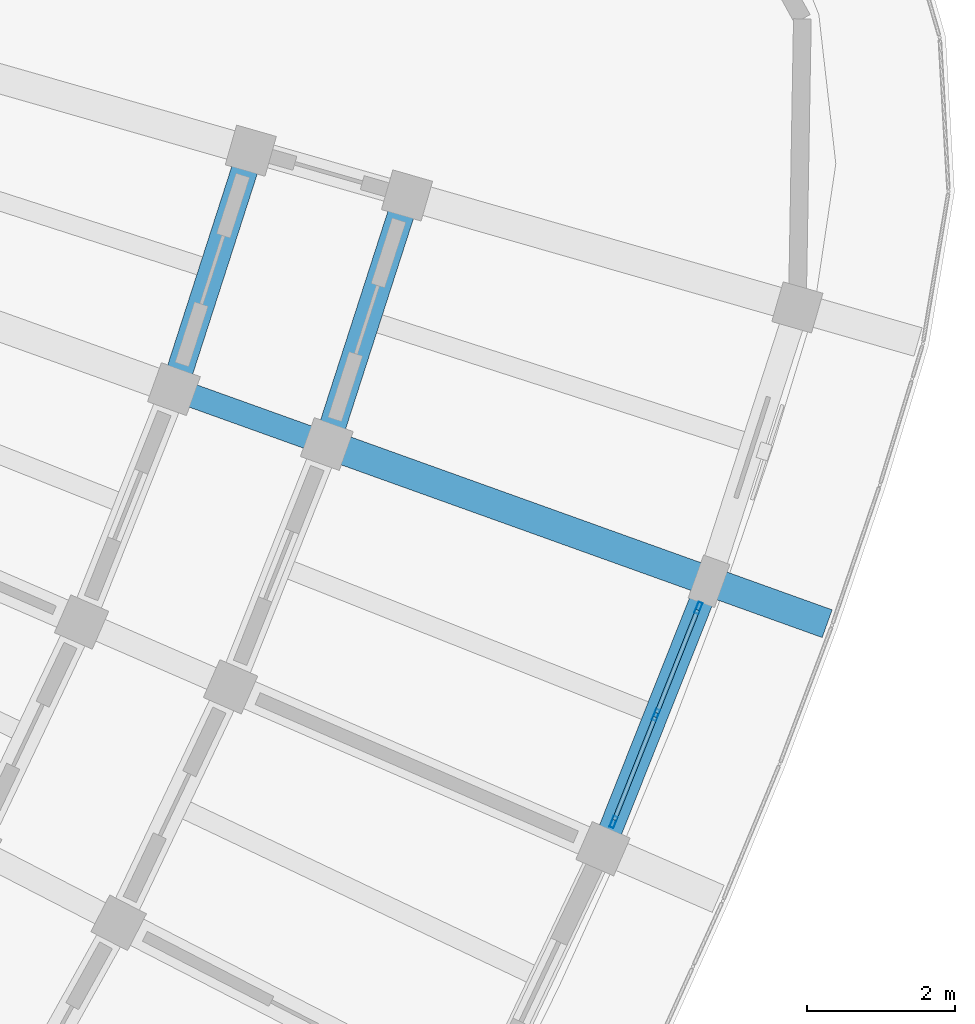
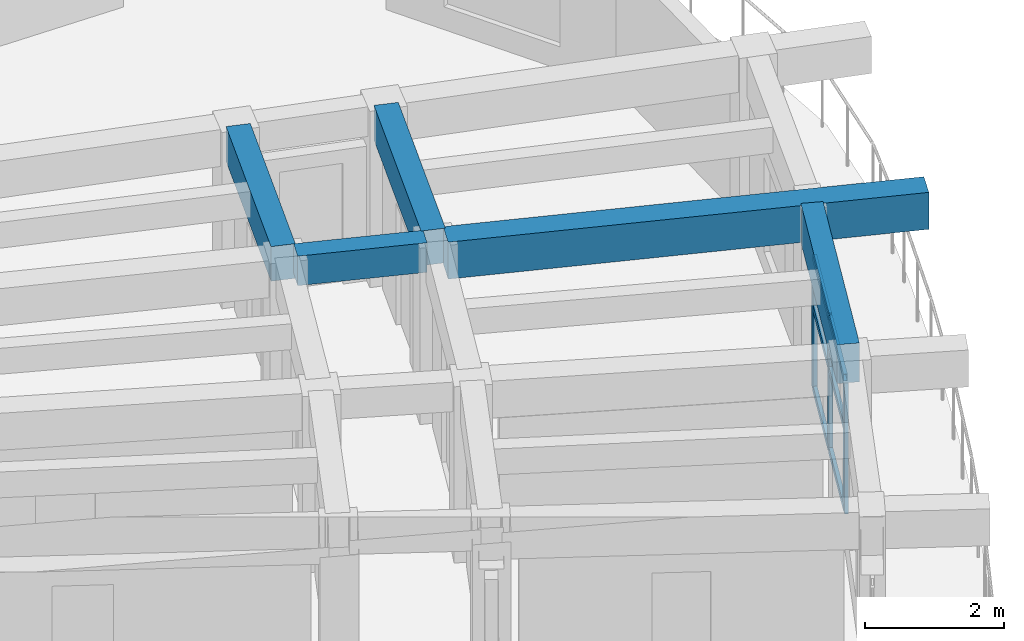
# One storey, part 33 of 96: 9 members, 5 beams, 1 element without a shape of its own.
"""IFC4 building model written with IfcOpenShell, lengths in metres."""

from ifc_helpers import new_model, si_unit, direction, frame, origin, origin_2d, place, context, subcontext, project, spatial, rectangle, hollow_rectangle, extrude, material, material_profile, profile_set, type_object, element, aggregate, save


model = new_model("IFC4")

# Units and contexts
model_context = context("Model", 3, precision=1e-05, world=origin(), true_north=direction((0.0, 1.0)))
body_context = subcontext(model_context, "Body", "Model", "MODEL_VIEW")
ifc_project = project(units=[si_unit("LENGTHUNIT", "METRE"), si_unit("AREAUNIT", "SQUARE_METRE"), si_unit("VOLUMEUNIT", "CUBIC_METRE"), si_unit("PLANEANGLEUNIT", "RADIAN"), si_unit("MASSUNIT", "GRAM", prefix="KILO")], contexts=[model_context])

# Site, building, storey
site_placement = place(None, origin())
site = spatial("IfcSite", under=ifc_project, at=site_placement, CompositionType="ELEMENT")
building_placement = place(site_placement, origin())
building = spatial("IfcBuilding", under=site, at=building_placement, Name="Tanwirah Colonnade Gardens", CompositionType="ELEMENT")
storey_placement = place(building_placement, frame((0.0, 0.0, 12.199951171875)))
storey = spatial("IfcBuildingStorey", under=building, at=storey_placement, Name="L03", CompositionType="ELEMENT", Elevation=12.199951171875)

# Beams
ifc_material_1 = material(Name="Precast concrete C40/50", Category="concrete")
ifc_material_profile_1 = material_profile(ifc_material_1, rectangle(XDim=0.360107421875, YDim=0.610107421875, at=origin_2d()), Name="PC-BM 360x610")
ifc_profile_set_1 = profile_set([ifc_material_profile_1], Name="Precast concrete C40/50")
beam_type_1 = type_object("IfcBeamType", Name="BM-PC300", PredefinedType="BEAM", material=ifc_profile_set_1)
beam_1_placement = place(storey_placement, frame((169.845947265625, 47.121826171875, 2.800048828125), z_axis=(0.306977410573, 0.951716801048, 0.0), x_axis=(-0.951716801048, 0.306977410573, 0.0)))
element("IfcBeam", 1, at=beam_1_placement, inside=storey, type_object=beam_type_1, Name="Block D L03 Circumferential Beam 15-R1", PredefinedType="BEAM", context=body_context, shape_type="SweptSolid", body=[
    extrude(rectangle(XDim=0.360107421875, YDim=0.610107421875, at=origin_2d()), origin(), (0.0, 0.0, 1.0), 3.093017578125),
])
beam_2_placement = place(storey_placement, frame((171.91650390625, 46.37841796875, 2.800048828125), z_axis=(0.306980742305, 0.951715726388, 0.0), x_axis=(-0.951715726388, 0.306980742305, 0.0)))
element("IfcBeam", 2, at=beam_2_placement, inside=storey, type_object=beam_type_1, Name="Block D L03 Circumferential Beam 15-R2", PredefinedType="BEAM", context=body_context, shape_type="SweptSolid", body=[
    extrude(rectangle(XDim=0.360107421875, YDim=0.610107421875, at=origin_2d()), origin(), (0.0, 0.0, 1.0), 3.23681640625),
])
ifc_material_profile_2 = material_profile(ifc_material_1, rectangle(XDim=0.320068359375, YDim=0.52001953125, at=origin_2d()), Name="PC-BM 320x520")
ifc_profile_set_2 = profile_set([ifc_material_profile_2], Name="Precast concrete C40/50")
beam_type_2 = type_object("IfcBeamType", Name="BM-PC320", PredefinedType="BEAM", material=ifc_profile_set_2)
beam_3_placement = place(storey_placement, frame((169.941162109375, 46.92822265625, 2.844970703125), z_axis=(0.941214575511, -0.337809299525, 0.0), x_axis=(0.337809299525, 0.941214575511, 0.0)))
element("IfcBeam", 3, at=beam_3_placement, inside=storey, type_object=beam_type_2, Name="Block D L03 Corridor Tie Beam 15", PredefinedType="BEAM", context=body_context, shape_type="SweptSolid", body=[
    extrude(rectangle(XDim=0.320068359375, YDim=0.52001953125, at=origin_2d()), origin(), (0.0, 0.0, 1.0), 1.89990234375),
])
ifc_material_2 = material(Name="Precast concrete C45/55", Category="concrete")
ifc_material_profile_3 = material_profile(ifc_material_2, rectangle(XDim=0.39990234375, YDim=0.64990234375, at=origin_2d()), Name="PC-BM 400x650")
ifc_profile_set_3 = profile_set([ifc_material_profile_3], Name="Precast concrete C45/55")
beam_type_3 = type_object("IfcBeamType", Name="BM-PC400", PredefinedType="BEAM", material=ifc_profile_set_3)
beam_4_placement = place(storey_placement, frame((172.01171875, 46.184814453125, 2.780029296875), z_axis=(0.941174903614, -0.337919814168, 0.0), x_axis=(0.337919814168, 0.941174903614, 0.0)))
element("IfcBeam", 4, at=beam_4_placement, inside=storey, type_object=beam_type_3, Name="Block D L03 Outer Radial Precast Girder 15", PredefinedType="BEAM", context=body_context, shape_type="SweptSolid", body=[
    extrude(rectangle(XDim=0.39990234375, YDim=0.64990234375, at=origin_2d()), origin(), (0.0, 0.0, 1.0), 7.050048828125),
])

# Curtain wall, members
ifc_material_3 = material(Name="Bronze-anodised aluminium and solar-control low-E glass", Category="aluminium")
curtain_wall_type = type_object("IfcCurtainWallType", Name="CW-LOB", PredefinedType="NOTDEFINED", material=ifc_material_3)
curtain_wall_placement = place(storey_placement, origin())
curtain_wall = element("IfcCurtainWall", 5, at=curtain_wall_placement, inside=storey, type_object=curtain_wall_type, Name="Curtain Wall CW-D-L03-OUT-14", PredefinedType="NOTDEFINED")
ifc_material_4 = material(Name="Bronze-anodised aluminium", Category="aluminium")
ifc_material_profile_4 = material_profile(ifc_material_4, hollow_rectangle(XDim=0.06005859375, YDim=0.159912109375, WallThickness=0.00390625, at=origin_2d()), Name="CW-MUL 60x160x4")
ifc_profile_set_4 = profile_set([ifc_material_profile_4], Name="Bronze-anodised aluminium")
member_type_1 = type_object("IfcMemberType", Name="CWM-60x160", PredefinedType="MULLION", material=ifc_profile_set_4)
member_1_placement = place(storey_placement, frame((175.754638671875, 41.116943359375, 0.0), z_axis=(0.0, 0.0, 1.0), x_axis=(-0.929616338627, 0.368528781723, 0.0)))
member_1 = element("IfcMember", 6, at=member_1_placement, type_object=member_type_1, Name="CW-LOB mullion 1", PredefinedType="MULLION", context=body_context, shape_type="SweptSolid", body=[
    extrude(hollow_rectangle(XDim=0.06005859375, YDim=0.159912109375, WallThickness=0.00390625, at=origin_2d()), origin(), (0.0, 0.0, 1.0), 2.35498046875),
])
member_2_placement = place(storey_placement, frame((176.3291015625, 42.565673828125, 0.0), z_axis=(0.0, 0.0, 1.0), x_axis=(-0.929616338627, 0.368528781723, 0.0)))
member_2 = element("IfcMember", 7, at=member_2_placement, type_object=member_type_1, Name="CW-LOB mullion 2", PredefinedType="MULLION", context=body_context, shape_type="SweptSolid", body=[
    extrude(hollow_rectangle(XDim=0.06005859375, YDim=0.159912109375, WallThickness=0.00390625, at=origin_2d()), origin(), (0.0, 0.0, 1.0), 2.35498046875),
])
member_3_placement = place(storey_placement, frame((176.9033203125, 44.014404296875, 0.0), z_axis=(0.0, 0.0, 1.0), x_axis=(-0.929616338627, 0.368528781723, 0.0)))
member_3 = element("IfcMember", 8, at=member_3_placement, type_object=member_type_1, Name="CW-LOB mullion 3", PredefinedType="MULLION", context=body_context, shape_type="SweptSolid", body=[
    extrude(hollow_rectangle(XDim=0.06005859375, YDim=0.159912109375, WallThickness=0.00390625, at=origin_2d()), origin(), (0.0, 0.0, 1.0), 2.35498046875),
])
ifc_material_profile_5 = material_profile(ifc_material_4, hollow_rectangle(XDim=0.06005859375, YDim=0.1201171875, WallThickness=0.00390625, at=origin_2d()), Name="CW-TRN 60x120x4")
ifc_profile_set_5 = profile_set([ifc_material_profile_5], Name="Bronze-anodised aluminium")
member_type_2 = type_object("IfcMemberType", Name="CWT-60x120", PredefinedType="USERDEFINED", material=ifc_profile_set_5)
member_4_placement = place(storey_placement, frame((175.765625, 41.14501953125, 0.030029296875), z_axis=(0.368579594882, 0.929596193106, 0.0), x_axis=(-0.929596193106, 0.368579594882, 0.0)))
member_4 = element("IfcMember", 9, at=member_4_placement, type_object=member_type_2, Name="CW-LOB transom 1.1", ObjectType="TRANSOM", PredefinedType="USERDEFINED", context=body_context, shape_type="SweptSolid", body=[
    extrude(hollow_rectangle(XDim=0.06005859375, YDim=0.1201171875, WallThickness=0.00390625, at=origin_2d()), origin(), (0.0, 0.0, 1.0), 1.498291015625),
])
member_5_placement = place(storey_placement, frame((175.765625, 41.14501953125, 1.460205078125), z_axis=(0.368579594882, 0.929596193106, 0.0), x_axis=(-0.929596193106, 0.368579594882, 0.0)))
member_5 = element("IfcMember", 10, at=member_5_placement, type_object=member_type_2, Name="CW-LOB transom 1.2", ObjectType="TRANSOM", PredefinedType="USERDEFINED", context=body_context, shape_type="SweptSolid", body=[
    extrude(hollow_rectangle(XDim=0.06005859375, YDim=0.1201171875, WallThickness=0.00390625, at=origin_2d()), origin(), (0.0, 0.0, 1.0), 1.498291015625),
])
member_6_placement = place(storey_placement, frame((175.765625, 41.14501953125, 2.324951171875), z_axis=(0.368579594882, 0.929596193106, 0.0), x_axis=(-0.929596193106, 0.368579594882, 0.0)))
member_6 = element("IfcMember", 11, at=member_6_placement, type_object=member_type_2, Name="CW-LOB transom 1.3", ObjectType="TRANSOM", PredefinedType="USERDEFINED", context=body_context, shape_type="SweptSolid", body=[
    extrude(hollow_rectangle(XDim=0.06005859375, YDim=0.1201171875, WallThickness=0.00390625, at=origin_2d()), origin(), (0.0, 0.0, 1.0), 1.498291015625),
])
member_7_placement = place(storey_placement, frame((176.340087890625, 42.59375, 0.030029296875), z_axis=(0.368579594882, 0.929596193106, 0.0), x_axis=(-0.929596193106, 0.368579594882, 0.0)))
member_7 = element("IfcMember", 12, at=member_7_placement, type_object=member_type_2, Name="CW-LOB transom 2.1", ObjectType="TRANSOM", PredefinedType="USERDEFINED", context=body_context, shape_type="SweptSolid", body=[
    extrude(hollow_rectangle(XDim=0.06005859375, YDim=0.1201171875, WallThickness=0.00390625, at=origin_2d()), origin(), (0.0, 0.0, 1.0), 1.498291015625),
])
member_8_placement = place(storey_placement, frame((176.340087890625, 42.59375, 1.460205078125), z_axis=(0.368579594882, 0.929596193106, 0.0), x_axis=(-0.929596193106, 0.368579594882, 0.0)))
member_8 = element("IfcMember", 13, at=member_8_placement, type_object=member_type_2, Name="CW-LOB transom 2.2", ObjectType="TRANSOM", PredefinedType="USERDEFINED", context=body_context, shape_type="SweptSolid", body=[
    extrude(hollow_rectangle(XDim=0.06005859375, YDim=0.1201171875, WallThickness=0.00390625, at=origin_2d()), origin(), (0.0, 0.0, 1.0), 1.498291015625),
])
member_9_placement = place(storey_placement, frame((176.340087890625, 42.59375, 2.324951171875), z_axis=(0.368579594882, 0.929596193106, 0.0), x_axis=(-0.929596193106, 0.368579594882, 0.0)))
member_9 = element("IfcMember", 14, at=member_9_placement, type_object=member_type_2, Name="CW-LOB transom 2.3", ObjectType="TRANSOM", PredefinedType="USERDEFINED", context=body_context, shape_type="SweptSolid", body=[
    extrude(hollow_rectangle(XDim=0.06005859375, YDim=0.1201171875, WallThickness=0.00390625, at=origin_2d()), origin(), (0.0, 0.0, 1.0), 1.498291015625),
])
aggregate(curtain_wall, [member_1, member_2, member_3, member_4, member_5, member_6, member_7, member_8, member_9])

# Beam
ifc_material_profile_6 = material_profile(ifc_material_1, rectangle(XDim=0.324951171875, YDim=0.68505859375, at=origin_2d()), Name="PC-SP 325x685")
ifc_profile_set_6 = profile_set([ifc_material_profile_6], Name="Precast concrete C40/50")
beam_type_4 = type_object("IfcBeamType", Name="SP-PC260", PredefinedType="SPANDREL", material=ifc_profile_set_6)
beam_5_placement = place(storey_placement, frame((175.666259765625, 40.89404296875, 2.762451171875), z_axis=(0.368521552478, 0.929619204491, 0.0), x_axis=(-0.929619204491, 0.368521552478, 0.0)))
element("IfcBeam", 15, at=beam_5_placement, inside=storey, type_object=beam_type_4, Name="Block D L03 Circumferential Beam 14-R3", PredefinedType="SPANDREL", context=body_context, shape_type="SweptSolid", body=[
    extrude(rectangle(XDim=0.324951171875, YDim=0.68505859375, at=origin_2d()), origin(), (0.0, 0.0, 1.0), 3.5966796875),
])

save(model, "model.ifc")
